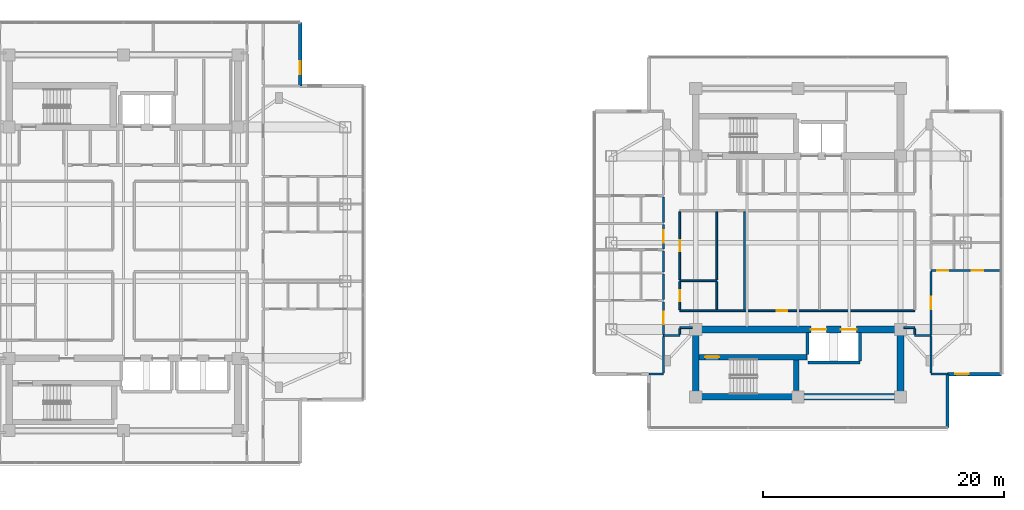
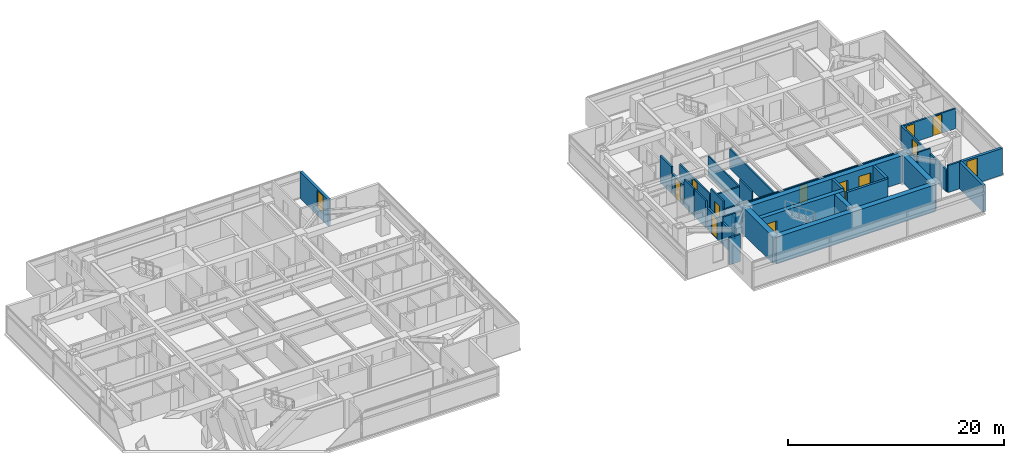
# One storey, part 16 of 24: 36 walls, 11 doors, 2 windows, 13 openings.
"""IFC4 building model written with IfcOpenShell, lengths in metres."""

from ifc_helpers import new_model, si_unit, direction, frame, frame_2d, origin, place, context, subcontext, project, spatial, rectangle, extrude, material, layer, layer_set, type_object, element, fill, save


model = new_model("IFC4")

# Units and contexts
model_context = context("Model", 3, precision=1e-05, world=origin(), true_north=direction((0.0, 1.0)))
body_context = subcontext(model_context, "Body", "Model", "MODEL_VIEW")
ifc_project = project(units=[si_unit("LENGTHUNIT", "METRE"), si_unit("AREAUNIT", "SQUARE_METRE"), si_unit("VOLUMEUNIT", "CUBIC_METRE"), si_unit("PLANEANGLEUNIT", "RADIAN"), si_unit("MASSUNIT", "GRAM", prefix="KILO")], contexts=[model_context])

# Site, building, storey
site_placement = place(None, origin())
site = spatial("IfcSite", under=ifc_project, at=site_placement, CompositionType="ELEMENT")
building_placement = place(site_placement, origin())
building = spatial("IfcBuilding", under=site, at=building_placement, Name="Mirazonda Arch Towers", CompositionType="ELEMENT")
storey_placement = place(building_placement, frame((0.0, 0.0, 157.64990234375)))
storey = spatial("IfcBuildingStorey", under=building, at=storey_placement, Name="L44", CompositionType="ELEMENT", Elevation=157.64990234375)

# Wall, opening, door
ifc_material_1 = material(Name="Concrete C50/60", Category="concrete")
ifc_layer_1 = layer(ifc_material_1, 0.449951171875, Name="WALL-CORE-450")
ifc_layer_set_1 = layer_set([ifc_layer_1], Name="Concrete C50/60")
wall_type_1 = type_object("IfcWallType", Name="WALL-CORE-450", PredefinedType="SHEAR", material=ifc_layer_set_1)
wall_1_placement = place(storey_placement, frame((68.27001953125, 18.5, 0.0), z_axis=(0.0, 0.0, 1.0), x_axis=(1.0, 0.0, 0.0)))
wall_1 = element("IfcWall", 1, at=wall_1_placement, inside=storey, type_object=wall_type_1, Name="L44 Stair Core Shear Wall 014", PredefinedType="SHEAR", context=body_context, shape_type="SweptSolid", body=[
    extrude(rectangle(XDim=8.949951171875, YDim=0.449951171875, at=frame_2d((4.47509765625, 0.0))), origin(), (0.0, 0.0, 1.0), 3.050048828125),
])
opening_1_placement = place(wall_1_placement, frame((0.52001953125, 0.0, 0.0)))
opening_1 = element("IfcOpeningElement", 2, at=opening_1_placement, cuts=wall_1, Name="Opening DR-135", PredefinedType="OPENING", context=body_context, shape_type="SweptSolid", body=[
    extrude(rectangle(XDim=1.14990234375, YDim=2.199951171875, at=frame_2d((0.574951171875, 1.10009765625))), frame((0.0, 0.23486328125, 0.0), z_axis=(0.0, -1.0, 0.0), x_axis=(1.0, 0.0, 0.0)), (0.0, 0.0, 1.0), 0.469970703125),
])
ifc_material_2 = material(Name="Architectural Brushed Steel S355", Category="steel")
door_type_1 = type_object("IfcDoorType", Name="DOOR-STAIR-FD90-1150", OperationType="NOTDEFINED", PredefinedType="DOOR", material=ifc_material_2)
door_1_placement = place(opening_1_placement, origin())
door_1 = element("IfcDoor", 3, at=door_1_placement, inside=storey, type_object=door_type_1, Name="L44 East Protected Stair South Door", OperationType="SINGLE_SWING_RIGHT", OverallHeight=2.199951171875, OverallWidth=1.14990234375, PredefinedType="DOOR", context=body_context, shape_type="SweptSolid", body=[
    extrude(rectangle(XDim=1.14990234375, YDim=2.199951171875, at=frame_2d((0.574951171875, 1.10009765625))), frame((0.0, 0.02490234375, 0.0), z_axis=(0.0, -1.0, 0.0), x_axis=(1.0, 0.0, 0.0)), (0.0, 0.0, 1.0), 0.050048828125),
])
fill(opening_1, door_1)

# Walls
wall_2_placement = place(storey_placement, frame((76.360107421875, 15.715087890625, 0.0), z_axis=(0.0, 0.0, 1.0), x_axis=(0.0, 1.0, 0.0)))
element("IfcWall", 4, at=wall_2_placement, inside=storey, type_object=wall_type_1, Name="L44 Stair Core Shear Wall 151", PredefinedType="SHEAR", context=body_context, shape_type="SweptSolid", body=[
    extrude(rectangle(XDim=2.5498046875, YDim=0.449951171875, at=frame_2d((1.27490234375, 0.0))), origin(), (0.0, 0.0, 1.0), 3.050048828125),
])
ifc_layer_2 = layer(ifc_material_1, 0.550048828125, Name="WALL-CORE-550")
ifc_layer_set_2 = layer_set([ifc_layer_2], Name="Concrete C50/60")
wall_type_2 = type_object("IfcWallType", Name="WALL-CORE-550", PredefinedType="SHEAR", material=ifc_layer_set_2)
wall_3_placement = place(storey_placement, frame((68.0, 15.199951171875, 0.0), z_axis=(0.0, 0.0, 1.0), x_axis=(1.0, 0.0, 0.0)))
element("IfcWall", 5, at=wall_3_placement, inside=storey, type_object=wall_type_2, Name="L44 T2S-S Core Shear Wall", PredefinedType="SHEAR", context=body_context, shape_type="SweptSolid", body=[
    extrude(rectangle(XDim=17.0, YDim=0.550048828125, at=frame_2d((8.5, 0.0))), origin(), (0.0, 0.0, 1.0), 3.050048828125),
])
for number, where, z_axis, x_axis, name in (
    (6, (68.0, 15.199951171875, 0.0), (0.0, 0.0, 1.0), (0.0, 1.0, 0.0), "L44 T2S-W Core Shear Wall"),
    (7, (85.0, 15.199951171875, 0.0), (0.0, 0.0, 1.0), (0.0, 1.0, 0.0), "L44 T2S-E Core Shear Wall"),
):
    element("IfcWall", number, at=place(storey_placement, frame(where, z_axis=z_axis, x_axis=x_axis)), inside=storey, type_object=wall_type_2, Name=name, PredefinedType="SHEAR", context=body_context, shape_type="SweptSolid", body=[
        extrude(rectangle(XDim=5.60009765625, YDim=0.550048828125, at=frame_2d((2.800048828125, 0.0))), origin(), (0.0, 0.0, 1.0), 3.050048828125),
    ])

# Wall, openings, doors
wall_4_placement = place(storey_placement, frame((68.0, 20.800048828125, 0.0), z_axis=(0.0, 0.0, 1.0), x_axis=(1.0, 0.0, 0.0)))
wall_4 = element("IfcWall", 8, at=wall_4_placement, inside=storey, type_object=wall_type_2, Name="L44 T2S-N Core Shear Wall", PredefinedType="SHEAR", context=body_context, shape_type="SweptSolid", body=[
    extrude(rectangle(XDim=17.0, YDim=0.550048828125, at=frame_2d((8.5, 0.0))), origin(), (0.0, 0.0, 1.0), 3.050048828125),
])
opening_2_placement = place(wall_4_placement, frame((9.550048828125, 0.0, 0.0)))
opening_2 = element("IfcOpeningElement", 9, at=opening_2_placement, cuts=wall_4, Name="Opening LD-111", PredefinedType="OPENING", context=body_context, shape_type="SweptSolid", body=[
    extrude(rectangle(XDim=1.300048828125, YDim=2.300048828125, at=frame_2d((0.64990234375, 1.14990234375))), frame((0.0, 0.284912109375, 0.0), z_axis=(0.0, -1.0, 0.0), x_axis=(1.0, 0.0, 0.0)), (0.0, 0.0, 1.0), 0.570068359375),
])
opening_3_placement = place(wall_4_placement, frame((12.050048828125, 0.0, 0.0)))
opening_3 = element("IfcOpeningElement", 10, at=opening_3_placement, cuts=wall_4, Name="Opening LD-111", PredefinedType="OPENING", context=body_context, shape_type="SweptSolid", body=[
    extrude(rectangle(XDim=1.300048828125, YDim=2.300048828125, at=frame_2d((0.64990234375, 1.14990234375))), frame((0.0, 0.284912109375, 0.0), z_axis=(0.0, -1.0, 0.0), x_axis=(1.0, 0.0, 0.0)), (0.0, 0.0, 1.0), 0.570068359375),
])
door_type_2 = type_object("IfcDoorType", Name="DOOR-LIFT-LAND-1300", OperationType="NOTDEFINED", PredefinedType="DOOR", material=ifc_material_2)
door_2_placement = place(opening_2_placement, origin())
door_2 = element("IfcDoor", 11, at=door_2_placement, inside=storey, type_object=door_type_2, Name="L44 Lift Landing Sliding Door PL-T2H1", OperationType="DOUBLE_DOOR_SLIDING", OverallHeight=2.300048828125, OverallWidth=1.300048828125, PredefinedType="DOOR", context=body_context, shape_type="SweptSolid", body=[
    extrude(rectangle(XDim=1.300048828125, YDim=2.300048828125, at=frame_2d((0.64990234375, 1.14990234375))), frame((0.0, 0.02490234375, 0.0), z_axis=(0.0, -1.0, 0.0), x_axis=(1.0, 0.0, 0.0)), (0.0, 0.0, 1.0), 0.050048828125),
])
fill(opening_2, door_2)
door_3_placement = place(opening_3_placement, origin())
door_3 = element("IfcDoor", 12, at=door_3_placement, inside=storey, type_object=door_type_2, Name="L44 Lift Landing Sliding Door PL-T2H2", OperationType="DOUBLE_DOOR_SLIDING", OverallHeight=2.300048828125, OverallWidth=1.300048828125, PredefinedType="DOOR", context=body_context, shape_type="SweptSolid", body=[
    extrude(rectangle(XDim=1.300048828125, YDim=2.300048828125, at=frame_2d((0.64990234375, 1.14990234375))), frame((0.0, 0.02490234375, 0.0), z_axis=(0.0, -1.0, 0.0), x_axis=(1.0, 0.0, 0.0)), (0.0, 0.0, 1.0), 0.050048828125),
])
fill(opening_3, door_3)

# Wall, opening, window
ifc_material_3 = material(Name="Precast Concrete C40/50", Category="concrete")
ifc_layer_3 = layer(ifc_material_3, 0.280029296875, Name="WALL-EXT-WALL-280")
ifc_layer_set_3 = layer_set([ifc_layer_3], Name="Precast Concrete C40/50")
wall_type_3 = type_object("IfcWallType", Name="WALL-EXT-WALL-280", PredefinedType="SOLIDWALL", material=ifc_layer_set_3)
wall_5_placement = place(storey_placement, frame((35.1650390625, 41.02294921875, 0.0), z_axis=(0.0, 0.0, 1.0), x_axis=(0.0, 1.0, 0.0)))
wall_5 = element("IfcWall", 13, at=wall_5_placement, inside=storey, type_object=wall_type_3, Name="L44 T1 Notched NE Corner Wall WL-L44-T1-CNE", PredefinedType="SOLIDWALL", context=body_context, shape_type="SweptSolid", body=[
    extrude(rectangle(XDim=5.2451171875, YDim=0.280029296875, at=frame_2d((2.62255859375, 0.0))), origin(), (0.0, 0.0, 1.0), 3.030029296875),
])
opening_4_placement = place(wall_5_placement, frame((0.949951171875, 0.0, 0.85009765625)))
opening_4 = element("IfcOpeningElement", 14, at=opening_4_placement, cuts=wall_5, Name="Opening WN-108", PredefinedType="OPENING", context=body_context, shape_type="SweptSolid", body=[
    extrude(rectangle(XDim=1.10009765625, YDim=2.0, at=frame_2d((0.550048828125, 1.0))), frame((0.0, 0.14990234375, 0.0), z_axis=(0.0, -1.0, 0.0), x_axis=(1.0, 0.0, 0.0)), (0.0, 0.0, 1.0), 0.300048828125),
])
ifc_material_4 = material(Name="Insulated Low-E Solar Glass", Category="glass")
window_type = type_object("IfcWindowType", Name="WIN-NOTCH-1100x2000", PartitioningType="SINGLE_PANEL", PredefinedType="WINDOW", material=ifc_material_4)
window_1_placement = place(opening_4_placement, origin())
window_1 = element("IfcWindow", 15, at=window_1_placement, inside=storey, type_object=window_type, Name="L44 Punched Facade Window WN-L44-T1-CNE", OverallHeight=2.0, OverallWidth=1.10009765625, PartitioningType="SINGLE_PANEL", PredefinedType="WINDOW", context=body_context, shape_type="SweptSolid", body=[
    extrude(rectangle(XDim=1.10009765625, YDim=2.0, at=frame_2d((0.550048828125, 1.0))), frame((0.0, 0.030029296875, 0.0), z_axis=(0.0, -1.0, 0.0), x_axis=(1.0, 0.0, 0.0)), (0.0, 0.0, 1.0), 0.06005859375),
])
fill(opening_4, window_1)

wall_6_placement = place(storey_placement, frame((88.9052734375, 17.09033203125, 0.0), z_axis=(0.0, 0.0, 1.0), x_axis=(1.0, 0.0, 0.0)))
wall_6 = element("IfcWall", 16, at=wall_6_placement, inside=storey, type_object=wall_type_3, Name="L44 T2 Corner Notch Return Wall WL-L44-T2-CSE1", PredefinedType="SOLIDWALL", context=body_context, shape_type="SweptSolid", body=[
    extrude(rectangle(XDim=4.46533203125, YDim=0.280029296875, at=frame_2d((2.232666015625, 0.0))), origin(), (0.0, 0.0, 1.0), 3.030029296875),
])
opening_5_placement = place(wall_6_placement, frame((0.64990234375, 0.0, 0.85009765625)))
opening_5 = element("IfcOpeningElement", 17, at=opening_5_placement, cuts=wall_6, Name="Opening WN-108", PredefinedType="OPENING", context=body_context, shape_type="SweptSolid", body=[
    extrude(rectangle(XDim=1.10009765625, YDim=2.0, at=frame_2d((0.550048828125, 1.0))), frame((0.0, 0.14990234375, 0.0), z_axis=(0.0, -1.0, 0.0), x_axis=(1.0, 0.0, 0.0)), (0.0, 0.0, 1.0), 0.300048828125),
])
window_2_placement = place(opening_5_placement, origin())
window_2 = element("IfcWindow", 18, at=window_2_placement, inside=storey, type_object=window_type, Name="L44 Punched Facade Window WN-L44-T2-CSE1", OverallHeight=2.0, OverallWidth=1.10009765625, PartitioningType="SINGLE_PANEL", PredefinedType="WINDOW", context=body_context, shape_type="SweptSolid", body=[
    extrude(rectangle(XDim=1.10009765625, YDim=2.0, at=frame_2d((0.550048828125, 1.0))), frame((0.0, 0.030029296875, 0.0), z_axis=(0.0, -1.0, 0.0), x_axis=(1.0, 0.0, 0.0)), (0.0, 0.0, 1.0), 0.06005859375),
])
fill(opening_5, window_2)

# Walls
wall_7_placement = place(storey_placement, frame((88.9052734375, 12.625244140625, 0.0), z_axis=(0.0, 0.0, 1.0), x_axis=(0.0, 1.0, 0.0)))
element("IfcWall", 19, at=wall_7_placement, inside=storey, type_object=wall_type_3, Name="L44 T2 Corner Notch Return Wall WL-L44-T2-CSE2", PredefinedType="SOLIDWALL", context=body_context, shape_type="SweptSolid", body=[
    extrude(rectangle(XDim=4.465087890625, YDim=0.280029296875, at=frame_2d((2.232421875, 0.0))), origin(), (0.0, 0.0, 1.0), 3.030029296875),
])
ifc_material_5 = material(Name="Fire-Rated Gypsum Stud Partition")
ifc_layer_4 = layer(ifc_material_5, 0.14990234375, Name="WALL-PART-CORR-150")
ifc_layer_set_4 = layer_set([ifc_layer_4], Name="Fire-Rated Gypsum Stud Partition")
wall_type_4 = type_object("IfcWallType", Name="WALL-PART-CORR-150", PredefinedType="PARTITIONING", material=ifc_layer_set_4)
wall_8_placement = place(storey_placement, frame((65.320068359375, 20.300048828125, 0.0), z_axis=(0.0, 0.0, 1.0), x_axis=(1.0, 0.0, 0.0)))
element("IfcWall", 20, at=wall_8_placement, inside=storey, type_object=wall_type_4, Name="L44 Interior Partition 017", PredefinedType="PARTITIONING", context=body_context, shape_type="SweptSolid", body=[
    extrude(rectangle(XDim=1.35986328125, YDim=0.14990234375, at=frame_2d((0.679931640625, 0.0))), origin(), (0.0, 0.0, 1.0), 3.050048828125),
])
wall_9_placement = place(storey_placement, frame((86.179931640625, 20.300048828125, 0.0), z_axis=(0.0, 0.0, 1.0), x_axis=(1.0, 0.0, 0.0)))
element("IfcWall", 21, at=wall_9_placement, inside=storey, type_object=wall_type_4, Name="L44 Interior Partition 018", PredefinedType="PARTITIONING", context=body_context, shape_type="SweptSolid", body=[
    extrude(rectangle(XDim=1.360107421875, YDim=0.14990234375, at=frame_2d((0.68017578125, 0.0))), origin(), (0.0, 0.0, 1.0), 3.050048828125),
])
wall_10_placement = place(storey_placement, frame((66.679931640625, 20.949951171875, 0.0), z_axis=(0.0, 0.0, 1.0), x_axis=(1.0, 0.0, 0.0)))
element("IfcWall", 22, at=wall_10_placement, inside=storey, type_object=wall_type_4, Name="L44 Interior Partition 019", PredefinedType="PARTITIONING", context=body_context, shape_type="SweptSolid", body=[
    extrude(rectangle(XDim=1.050048828125, YDim=0.14990234375, at=frame_2d((0.52490234375, 0.0))), origin(), (0.0, 0.0, 1.0), 2.442138671875),
])
wall_11_placement = place(storey_placement, frame((85.27001953125, 20.949951171875, 0.0), z_axis=(0.0, 0.0, 1.0), x_axis=(1.0, 0.0, 0.0)))
element("IfcWall", 23, at=wall_11_placement, inside=storey, type_object=wall_type_4, Name="L44 Interior Partition 020", PredefinedType="PARTITIONING", context=body_context, shape_type="SweptSolid", body=[
    extrude(rectangle(XDim=0.909912109375, YDim=0.14990234375, at=frame_2d((0.455078125, 0.0))), origin(), (0.0, 0.0, 1.0), 2.442138671875),
])

# Wall, opening, door
wall_12_placement = place(storey_placement, frame((66.679931640625, 22.35009765625, 0.0), z_axis=(0.0, 0.0, 1.0), x_axis=(1.0, 0.0, 0.0)))
wall_12 = element("IfcWall", 24, at=wall_12_placement, inside=storey, type_object=wall_type_4, Name="L44 Interior Partition 023", PredefinedType="PARTITIONING", context=body_context, shape_type="SweptSolid", body=[
    extrude(rectangle(XDim=19.5, YDim=0.14990234375, at=frame_2d((9.75, 0.0))), origin(), (0.0, 0.0, 1.0), 2.18603515625),
])
opening_6_placement = place(wall_12_placement, frame((8.053466796875, 0.0, 0.0)))
opening_6 = element("IfcOpeningElement", 25, at=opening_6_placement, cuts=wall_12, Name="Opening DR-128", PredefinedType="OPENING", context=body_context, shape_type="SweptSolid", body=[
    extrude(rectangle(XDim=0.85009765625, YDim=2.010009765625, at=frame_2d((0.425048828125, 1.0048828125))), frame((0.0, 0.0849609375, 0.0), z_axis=(0.0, -1.0, 0.0), x_axis=(1.0, 0.0, 0.0)), (0.0, 0.0, 1.0), 0.169921875),
])
door_type_3 = type_object("IfcDoorType", Name="DOOR-RISER-FD60-850", OperationType="NOTDEFINED", PredefinedType="DOOR", material=ifc_material_2)
door_4_placement = place(opening_6_placement, origin())
door_4 = element("IfcDoor", 26, at=door_4_placement, inside=storey, type_object=door_type_3, Name="L44 Residents Private Library Door", OperationType="SINGLE_SWING_LEFT", OverallHeight=2.010009765625, OverallWidth=0.85009765625, PredefinedType="DOOR", context=body_context, shape_type="SweptSolid", body=[
    extrude(rectangle(XDim=0.85009765625, YDim=2.010009765625, at=frame_2d((0.425048828125, 1.0048828125))), frame((0.0, 0.02490234375, 0.0), z_axis=(0.0, -1.0, 0.0), x_axis=(1.0, 0.0, 0.0)), (0.0, 0.0, 1.0), 0.050048828125),
])
fill(opening_6, door_4)

# Walls
wall_13_placement = place(storey_placement, frame((66.679931640625, 24.85009765625, 0.0), z_axis=(0.0, 0.0, 1.0), x_axis=(1.0, 0.0, 0.0)))
element("IfcWall", 27, at=wall_13_placement, inside=storey, type_object=wall_type_4, Name="L44 Interior Partition 028", PredefinedType="PARTITIONING", context=body_context, shape_type="SweptSolid", body=[
    extrude(rectangle(XDim=3.070068359375, YDim=0.14990234375, at=frame_2d((1.53515625, 0.0))), origin(), (0.0, 0.0, 1.0), 2.18603515625),
])
wall_14_placement = place(storey_placement, frame((66.679931640625, 20.385009765625, 0.0), z_axis=(0.0, 0.0, 1.0), x_axis=(0.0, 1.0, 0.0)))
element("IfcWall", 28, at=wall_14_placement, inside=storey, type_object=wall_type_4, Name="L44 Interior Partition 139", PredefinedType="PARTITIONING", context=body_context, shape_type="SweptSolid", body=[
    extrude(rectangle(XDim=0.47998046875, YDim=0.14990234375, at=frame_2d((0.239990234375, 0.0))), origin(), (0.0, 0.0, 1.0), 2.442138671875),
])

# Wall, opening, door
wall_15_placement = place(storey_placement, frame((66.679931640625, 22.43505859375, 0.0), z_axis=(0.0, 0.0, 1.0), x_axis=(0.0, 1.0, 0.0)))
wall_15 = element("IfcWall", 29, at=wall_15_placement, inside=storey, type_object=wall_type_4, Name="L44 Interior Partition 140", PredefinedType="PARTITIONING", context=body_context, shape_type="SweptSolid", body=[
    extrude(rectangle(XDim=2.329833984375, YDim=0.14990234375, at=frame_2d((1.1650390625, 0.0))), origin(), (0.0, 0.0, 1.0), 3.050048828125),
])
opening_7_placement = place(wall_15_placement, frame((0.715087890625, 0.0, 0.0)))
opening_7 = element("IfcOpeningElement", 30, at=opening_7_placement, cuts=wall_15, Name="Opening DR-120", PredefinedType="OPENING", context=body_context, shape_type="SweptSolid", body=[
    extrude(rectangle(XDim=0.89990234375, YDim=2.10009765625, at=frame_2d((0.449951171875, 1.050048828125))), frame((0.0, 0.0849609375, 0.0), z_axis=(0.0, -1.0, 0.0), x_axis=(1.0, 0.0, 0.0)), (0.0, 0.0, 1.0), 0.169921875),
])
door_type_4 = type_object("IfcDoorType", Name="DOOR-WC-900", OperationType="NOTDEFINED", PredefinedType="DOOR", material=ifc_material_2)
door_5_placement = place(opening_7_placement, origin())
door_5 = element("IfcDoor", 31, at=door_5_placement, inside=storey, type_object=door_type_4, Name="L44 Tower 2 Common Accessible WC Door", OperationType="SINGLE_SWING_LEFT", OverallHeight=2.10009765625, OverallWidth=0.89990234375, PredefinedType="DOOR", context=body_context, shape_type="SweptSolid", body=[
    extrude(rectangle(XDim=0.89990234375, YDim=2.10009765625, at=frame_2d((0.449951171875, 1.050048828125))), frame((0.0, 0.02490234375, 0.0), z_axis=(0.0, -1.0, 0.0), x_axis=(1.0, 0.0, 0.0)), (0.0, 0.0, 1.0), 0.050048828125),
])
fill(opening_7, door_5)

wall_16_placement = place(storey_placement, frame((66.679931640625, 24.93505859375, 0.0), z_axis=(0.0, 0.0, 1.0), x_axis=(0.0, 1.0, 0.0)))
wall_16 = element("IfcWall", 32, at=wall_16_placement, inside=storey, type_object=wall_type_4, Name="L44 Interior Partition 141", PredefinedType="PARTITIONING", context=body_context, shape_type="SweptSolid", body=[
    extrude(rectangle(XDim=5.6298828125, YDim=0.14990234375, at=frame_2d((2.81494140625, 0.0))), origin(), (0.0, 0.0, 1.0), 2.34619140625),
])
opening_8_placement = place(wall_16_placement, frame((2.340087890625, 0.0, 0.0)))
opening_8 = element("IfcOpeningElement", 33, at=opening_8_placement, cuts=wall_16, Name="Opening DR-104", PredefinedType="OPENING", context=body_context, shape_type="SweptSolid", body=[
    extrude(rectangle(XDim=0.949951171875, YDim=2.14990234375, at=frame_2d((0.47509765625, 1.074951171875))), frame((0.0, 0.0849609375, 0.0), z_axis=(0.0, -1.0, 0.0), x_axis=(1.0, 0.0, 0.0)), (0.0, 0.0, 1.0), 0.169921875),
])
door_type_5 = type_object("IfcDoorType", Name="DOOR-ROOM-950", OperationType="NOTDEFINED", PredefinedType="DOOR", material=ifc_material_2)
door_6_placement = place(opening_8_placement, origin())
door_6 = element("IfcDoor", 34, at=door_6_placement, inside=storey, type_object=door_type_5, Name="L44 L44 East Courtyard Reading Study Door", OperationType="SINGLE_SWING_LEFT", OverallHeight=2.14990234375, OverallWidth=0.949951171875, PredefinedType="DOOR", context=body_context, shape_type="SweptSolid", body=[
    extrude(rectangle(XDim=0.949951171875, YDim=2.14990234375, at=frame_2d((0.47509765625, 1.074951171875))), frame((0.0, 0.02490234375, 0.0), z_axis=(0.0, -1.0, 0.0), x_axis=(1.0, 0.0, 0.0)), (0.0, 0.0, 1.0), 0.050048828125),
])
fill(opening_8, door_6)

# Walls
wall_17_placement = place(storey_placement, frame((69.743408203125, 22.43505859375, 0.0), z_axis=(0.0, 0.0, 1.0), x_axis=(0.0, 1.0, 0.0)))
element("IfcWall", 35, at=wall_17_placement, inside=storey, type_object=wall_type_4, Name="L44 Interior Partition 144", PredefinedType="PARTITIONING", context=body_context, shape_type="SweptSolid", body=[
    extrude(rectangle(XDim=2.329833984375, YDim=0.14990234375, at=frame_2d((1.1650390625, 0.0))), origin(), (0.0, 0.0, 1.0), 3.050048828125),
])
wall_18_placement = place(storey_placement, frame((69.743408203125, 24.93505859375, 0.0), z_axis=(0.0, 0.0, 1.0), x_axis=(0.0, 1.0, 0.0)))
element("IfcWall", 36, at=wall_18_placement, inside=storey, type_object=wall_type_4, Name="L44 Interior Partition 145", PredefinedType="PARTITIONING", context=body_context, shape_type="SweptSolid", body=[
    extrude(rectangle(XDim=5.6298828125, YDim=0.14990234375, at=frame_2d((2.81494140625, 0.0))), origin(), (0.0, 0.0, 1.0), 2.18603515625),
])
wall_19_placement = place(storey_placement, frame((72.050048828125, 22.43505859375, 0.0), z_axis=(0.0, 0.0, 1.0), x_axis=(0.0, 1.0, 0.0)))
element("IfcWall", 37, at=wall_19_placement, inside=storey, type_object=wall_type_4, Name="L44 Interior Partition 148", PredefinedType="PARTITIONING", context=body_context, shape_type="SweptSolid", body=[
    extrude(rectangle(XDim=8.1298828125, YDim=0.14990234375, at=frame_2d((4.06494140625, 0.0))), origin(), (0.0, 0.0, 1.0), 2.18603515625),
])
wall_20_placement = place(storey_placement, frame((86.179931640625, 20.385009765625, 0.0), z_axis=(0.0, 0.0, 1.0), x_axis=(0.0, 1.0, 0.0)))
element("IfcWall", 38, at=wall_20_placement, inside=storey, type_object=wall_type_4, Name="L44 Interior Partition 160", PredefinedType="PARTITIONING", context=body_context, shape_type="SweptSolid", body=[
    extrude(rectangle(XDim=0.47998046875, YDim=0.14990234375, at=frame_2d((0.239990234375, 0.0))), origin(), (0.0, 0.0, 1.0), 2.442138671875),
])
ifc_material_6 = material(Name="Fire-Rated Gypsum Twin-Stud Assembly")
ifc_layer_5 = layer(ifc_material_6, 0.179931640625, Name="WALL-PART-DEMISE-180")
ifc_layer_set_5 = layer_set([ifc_layer_5], Name="Fire-Rated Gypsum Twin-Stud Assembly")
wall_type_5 = type_object("IfcWallType", Name="WALL-PART-DEMISE-180", PredefinedType="PARTITIONING", material=ifc_layer_set_5)
wall_21_placement = place(storey_placement, frame((64.11474609375, 17.090087890625, 0.0), z_axis=(0.0, 0.0, 1.0), x_axis=(1.0, 0.0, 0.0)))
element("IfcWall", 39, at=wall_21_placement, inside=storey, type_object=wall_type_5, Name="L44 Interior Partition 009", PredefinedType="PARTITIONING", context=body_context, shape_type="SweptSolid", body=[
    extrude(rectangle(XDim=1.205322265625, YDim=0.179931640625, at=frame_2d((0.6025390625, 0.0))), origin(), (0.0, 0.0, 1.0), 3.050048828125),
])
wall_22_placement = place(storey_placement, frame((87.5400390625, 17.090087890625, 0.0), z_axis=(0.0, 0.0, 1.0), x_axis=(1.0, 0.0, 0.0)))
element("IfcWall", 40, at=wall_22_placement, inside=storey, type_object=wall_type_5, Name="L44 Interior Partition 010", PredefinedType="PARTITIONING", context=body_context, shape_type="SweptSolid", body=[
    extrude(rectangle(XDim=1.34521484375, YDim=0.179931640625, at=frame_2d((0.672607421875, 0.0))), origin(), (0.0, 0.0, 1.0), 3.050048828125),
])

# Wall, openings, doors
wall_23_placement = place(storey_placement, frame((87.5400390625, 25.699951171875, 0.0), z_axis=(0.0, 0.0, 1.0), x_axis=(1.0, 0.0, 0.0)))
wall_23 = element("IfcWall", 41, at=wall_23_placement, inside=storey, type_object=wall_type_5, Name="L44 Interior Partition 032", PredefinedType="PARTITIONING", context=body_context, shape_type="SweptSolid", body=[
    extrude(rectangle(XDim=5.8310546875, YDim=0.179931640625, at=frame_2d((2.91552734375, 0.0))), origin(), (0.0, 0.0, 1.0), 2.26904296875),
])
opening_9_placement = place(wall_23_placement, frame((3.360595703125, 0.0, 0.0)))
opening_9 = element("IfcOpeningElement", 42, at=opening_9_placement, cuts=wall_23, Name="Opening DR-104", PredefinedType="OPENING", context=body_context, shape_type="SweptSolid", body=[
    extrude(rectangle(XDim=0.949951171875, YDim=2.14990234375, at=frame_2d((0.47509765625, 1.074951171875))), frame((0.0, 0.099853515625, 0.0), z_axis=(0.0, -1.0, 0.0), x_axis=(1.0, 0.0, 0.0)), (0.0, 0.0, 1.0), 0.199951171875),
])
opening_10_placement = place(wall_23_placement, frame((0.510009765625, 0.0, 0.0)))
opening_10 = element("IfcOpeningElement", 43, at=opening_10_placement, cuts=wall_23, Name="Opening DR-120", PredefinedType="OPENING", context=body_context, shape_type="SweptSolid", body=[
    extrude(rectangle(XDim=0.89990234375, YDim=2.10009765625, at=frame_2d((0.449951171875, 1.050048828125))), frame((0.0, 0.099853515625, 0.0), z_axis=(0.0, -1.0, 0.0), x_axis=(1.0, 0.0, 0.0)), (0.0, 0.0, 1.0), 0.199951171875),
])
door_7_placement = place(opening_9_placement, origin())
door_7 = element("IfcDoor", 44, at=door_7_placement, inside=storey, type_object=door_type_5, Name="L44 Studio 1 Galley Kitchen Door", OperationType="SINGLE_SWING_RIGHT", OverallHeight=2.14990234375, OverallWidth=0.949951171875, PredefinedType="DOOR", context=body_context, shape_type="SweptSolid", body=[
    extrude(rectangle(XDim=0.949951171875, YDim=2.14990234375, at=frame_2d((0.47509765625, 1.074951171875))), frame((0.0, 0.02490234375, 0.0), z_axis=(0.0, -1.0, 0.0), x_axis=(1.0, 0.0, 0.0)), (0.0, 0.0, 1.0), 0.050048828125),
])
fill(opening_9, door_7)
door_8_placement = place(opening_10_placement, origin())
door_8 = element("IfcDoor", 45, at=door_8_placement, inside=storey, type_object=door_type_4, Name="L44 Studio 1 Bathroom Door", OperationType="SINGLE_SWING_LEFT", OverallHeight=2.10009765625, OverallWidth=0.89990234375, PredefinedType="DOOR", context=body_context, shape_type="SweptSolid", body=[
    extrude(rectangle(XDim=0.89990234375, YDim=2.10009765625, at=frame_2d((0.449951171875, 1.050048828125))), frame((0.0, 0.02490234375, 0.0), z_axis=(0.0, -1.0, 0.0), x_axis=(1.0, 0.0, 0.0)), (0.0, 0.0, 1.0), 0.050048828125),
])
fill(opening_10, door_8)

# Wall
wall_24_placement = place(storey_placement, frame((65.320068359375, 17.18994140625, 0.0), z_axis=(0.0, 0.0, 1.0), x_axis=(0.0, 1.0, 0.0)))
element("IfcWall", 46, at=wall_24_placement, inside=storey, type_object=wall_type_5, Name="L44 Interior Partition 131", PredefinedType="PARTITIONING", context=body_context, shape_type="SweptSolid", body=[
    extrude(rectangle(XDim=3.025146484375, YDim=0.179931640625, at=frame_2d((1.5126953125, 0.0))), origin(), (0.0, 0.0, 1.0), 2.4931640625),
])

# Wall, opening, door
wall_25_placement = place(storey_placement, frame((65.320068359375, 20.385009765625, 0.0), z_axis=(0.0, 0.0, 1.0), x_axis=(0.0, 1.0, 0.0)))
wall_25 = element("IfcWall", 47, at=wall_25_placement, inside=storey, type_object=wall_type_5, Name="L44 Interior Partition 132", PredefinedType="PARTITIONING", context=body_context, shape_type="SweptSolid", body=[
    extrude(rectangle(XDim=2.70703125, YDim=0.179931640625, at=frame_2d((1.353515625, 0.0))), origin(), (0.0, 0.0, 1.0), 2.442138671875),
])
opening_11_placement = place(wall_25_placement, frame((0.82861328125, 0.0, 0.0)))
opening_11 = element("IfcOpeningElement", 48, at=opening_11_placement, cuts=wall_25, Name="Opening DR-121", PredefinedType="OPENING", context=body_context, shape_type="SweptSolid", body=[
    extrude(rectangle(XDim=1.050048828125, YDim=2.199951171875, at=frame_2d((0.52490234375, 1.10009765625))), frame((0.0, 0.099853515625, 0.0), z_axis=(0.0, -1.0, 0.0), x_axis=(1.0, 0.0, 0.0)), (0.0, 0.0, 1.0), 0.199951171875),
])
door_type_6 = type_object("IfcDoorType", Name="DOOR-SUITE-FD60-1050", OperationType="NOTDEFINED", PredefinedType="DOOR", material=ifc_material_2)
door_9_placement = place(opening_11_placement, origin())
door_9 = element("IfcDoor", 49, at=door_9_placement, inside=storey, type_object=door_type_6, Name="L44 Studio Apartment 1 Living Salon Door", OperationType="SINGLE_SWING_RIGHT", OverallHeight=2.199951171875, OverallWidth=1.050048828125, PredefinedType="DOOR", context=body_context, shape_type="SweptSolid", body=[
    extrude(rectangle(XDim=1.050048828125, YDim=2.199951171875, at=frame_2d((0.52490234375, 1.10009765625))), frame((0.0, 0.02490234375, 0.0), z_axis=(0.0, -1.0, 0.0), x_axis=(1.0, 0.0, 0.0)), (0.0, 0.0, 1.0), 0.050048828125),
])
fill(opening_11, door_9)

# Walls
wall_26_placement = place(storey_placement, frame((65.320068359375, 23.2919921875, 0.0), z_axis=(0.0, 0.0, 1.0), x_axis=(0.0, 1.0, 0.0)))
element("IfcWall", 50, at=wall_26_placement, inside=storey, type_object=wall_type_5, Name="L44 Interior Partition 133", PredefinedType="PARTITIONING", context=body_context, shape_type="SweptSolid", body=[
    extrude(rectangle(XDim=2.12744140625, YDim=0.179931640625, at=frame_2d((1.063720703125, 0.0))), origin(), (0.0, 0.0, 1.0), 3.050048828125),
])
wall_27_placement = place(storey_placement, frame((65.320068359375, 25.564453125, 0.0), z_axis=(0.0, 0.0, 1.0), x_axis=(0.0, 1.0, 0.0)))
element("IfcWall", 51, at=wall_27_placement, inside=storey, type_object=wall_type_5, Name="L44 Interior Partition 134", PredefinedType="PARTITIONING", context=body_context, shape_type="SweptSolid", body=[
    extrude(rectangle(XDim=1.762451171875, YDim=0.179931640625, at=frame_2d((0.88134765625, 0.0))), origin(), (0.0, 0.0, 1.0), 3.050048828125),
])

# Wall, opening, door
wall_28_placement = place(storey_placement, frame((65.320068359375, 27.4970703125, 0.0), z_axis=(0.0, 0.0, 1.0), x_axis=(0.0, 1.0, 0.0)))
wall_28 = element("IfcWall", 52, at=wall_28_placement, inside=storey, type_object=wall_type_5, Name="L44 Interior Partition 135", PredefinedType="PARTITIONING", context=body_context, shape_type="SweptSolid", body=[
    extrude(rectangle(XDim=2.013916015625, YDim=0.179931640625, at=frame_2d((1.0068359375, 0.0))), origin(), (0.0, 0.0, 1.0), 2.34619140625),
])
opening_12_placement = place(wall_28_placement, frame((0.48193359375, 0.0, 0.0)))
opening_12 = element("IfcOpeningElement", 53, at=opening_12_placement, cuts=wall_28, Name="Opening DR-121", PredefinedType="OPENING", context=body_context, shape_type="SweptSolid", body=[
    extrude(rectangle(XDim=1.050048828125, YDim=2.199951171875, at=frame_2d((0.52490234375, 1.10009765625))), frame((0.0, 0.099853515625, 0.0), z_axis=(0.0, -1.0, 0.0), x_axis=(1.0, 0.0, 0.0)), (0.0, 0.0, 1.0), 0.199951171875),
])
door_10_placement = place(opening_12_placement, origin())
door_10 = element("IfcDoor", 54, at=door_10_placement, inside=storey, type_object=door_type_6, Name="L44 Studio Apartment 2 Living Salon Door", OperationType="SINGLE_SWING_LEFT", OverallHeight=2.199951171875, OverallWidth=1.050048828125, PredefinedType="DOOR", context=body_context, shape_type="SweptSolid", body=[
    extrude(rectangle(XDim=1.050048828125, YDim=2.199951171875, at=frame_2d((0.52490234375, 1.10009765625))), frame((0.0, 0.02490234375, 0.0), z_axis=(0.0, -1.0, 0.0), x_axis=(1.0, 0.0, 0.0)), (0.0, 0.0, 1.0), 0.050048828125),
])
fill(opening_12, door_10)

# Walls
wall_29_placement = place(storey_placement, frame((65.320068359375, 29.680908203125, 0.0), z_axis=(0.0, 0.0, 1.0), x_axis=(0.0, 1.0, 0.0)))
element("IfcWall", 55, at=wall_29_placement, inside=storey, type_object=wall_type_5, Name="L44 Interior Partition 136", PredefinedType="PARTITIONING", context=body_context, shape_type="SweptSolid", body=[
    extrude(rectangle(XDim=2.130126953125, YDim=0.179931640625, at=frame_2d((1.06494140625, 0.0))), origin(), (0.0, 0.0, 1.0), 3.050048828125),
])
wall_30_placement = place(storey_placement, frame((87.5400390625, 17.18994140625, 0.0), z_axis=(0.0, 0.0, 1.0), x_axis=(0.0, 1.0, 0.0)))
element("IfcWall", 56, at=wall_30_placement, inside=storey, type_object=wall_type_5, Name="L44 Interior Partition 163", PredefinedType="PARTITIONING", context=body_context, shape_type="SweptSolid", body=[
    extrude(rectangle(XDim=3.025146484375, YDim=0.179931640625, at=frame_2d((1.5126953125, 0.0))), origin(), (0.0, 0.0, 1.0), 2.4931640625),
])

# Wall, opening, door
wall_31_placement = place(storey_placement, frame((87.5400390625, 20.385009765625, 0.0), z_axis=(0.0, 0.0, 1.0), x_axis=(0.0, 1.0, 0.0)))
wall_31 = element("IfcWall", 57, at=wall_31_placement, inside=storey, type_object=wall_type_5, Name="L44 Interior Partition 164", PredefinedType="PARTITIONING", context=body_context, shape_type="SweptSolid", body=[
    extrude(rectangle(XDim=5.215087890625, YDim=0.179931640625, at=frame_2d((2.607421875, 0.0))), origin(), (0.0, 0.0, 1.0), 2.442138671875),
])
opening_13_placement = place(wall_31_placement, frame((2.08251953125, 0.0, 0.0)))
opening_13 = element("IfcOpeningElement", 58, at=opening_13_placement, cuts=wall_31, Name="Opening DR-121", PredefinedType="OPENING", context=body_context, shape_type="SweptSolid", body=[
    extrude(rectangle(XDim=1.050048828125, YDim=2.199951171875, at=frame_2d((0.52490234375, 1.10009765625))), frame((0.0, 0.099853515625, 0.0), z_axis=(0.0, -1.0, 0.0), x_axis=(1.0, 0.0, 0.0)), (0.0, 0.0, 1.0), 0.199951171875),
])
door_11_placement = place(opening_13_placement, origin())
door_11 = element("IfcDoor", 59, at=door_11_placement, inside=storey, type_object=door_type_6, Name="L44 Studio Apartment 1 Living Salon Door", OperationType="SINGLE_SWING_LEFT", OverallHeight=2.199951171875, OverallWidth=1.050048828125, PredefinedType="DOOR", context=body_context, shape_type="SweptSolid", body=[
    extrude(rectangle(XDim=1.050048828125, YDim=2.199951171875, at=frame_2d((0.52490234375, 1.10009765625))), frame((0.0, 0.02490234375, 0.0), z_axis=(0.0, -1.0, 0.0), x_axis=(1.0, 0.0, 0.0)), (0.0, 0.0, 1.0), 0.050048828125),
])
fill(opening_13, door_11)

# Walls
ifc_material_7 = material(Name="Concrete C40/50", Category="concrete")
ifc_layer_6 = layer(ifc_material_7, 0.25, Name="WALL-SHAFT-250")
ifc_layer_set_6 = layer_set([ifc_layer_6], Name="Concrete C40/50")
wall_type_6 = type_object("IfcWallType", Name="WALL-SHAFT-250", PredefinedType="SOLIDWALL", material=ifc_layer_set_6)
wall_32_placement = place(storey_placement, frame((77.300048828125, 18.050048828125, 0.0), z_axis=(0.0, 0.0, 1.0), x_axis=(1.0, 0.0, 0.0)))
element("IfcWall", 60, at=wall_32_placement, inside=storey, type_object=wall_type_6, Name="L44 Interior Partition 011", PredefinedType="SOLIDWALL", context=body_context, shape_type="SweptSolid", body=[
    extrude(rectangle(XDim=4.349853515625, YDim=0.25, at=frame_2d((2.1748046875, 0.0))), origin(), (0.0, 0.0, 1.0), 3.050048828125),
])
wall_33_placement = place(storey_placement, frame((77.260009765625, 18.735107421875, 0.0), z_axis=(0.0, 0.0, 1.0), x_axis=(0.0, 1.0, 0.0)))
element("IfcWall", 61, at=wall_33_placement, inside=storey, type_object=wall_type_6, Name="L44 Interior Partition 153", PredefinedType="SOLIDWALL", context=body_context, shape_type="SweptSolid", body=[
    extrude(rectangle(XDim=1.794921875, YDim=0.25, at=frame_2d((0.8974609375, 0.0))), origin(), (0.0, 0.0, 1.0), 3.050048828125),
])
wall_34_placement = place(storey_placement, frame((81.64990234375, 18.18505859375, 0.0), z_axis=(0.0, 0.0, 1.0), x_axis=(0.0, 1.0, 0.0)))
element("IfcWall", 62, at=wall_34_placement, inside=storey, type_object=wall_type_6, Name="L44 Interior Partition 158", PredefinedType="SOLIDWALL", context=body_context, shape_type="SweptSolid", body=[
    extrude(rectangle(XDim=2.344970703125, YDim=0.25, at=frame_2d((1.17236328125, 0.0))), origin(), (0.0, 0.0, 1.0), 3.050048828125),
])

save(model, "model.ifc")
